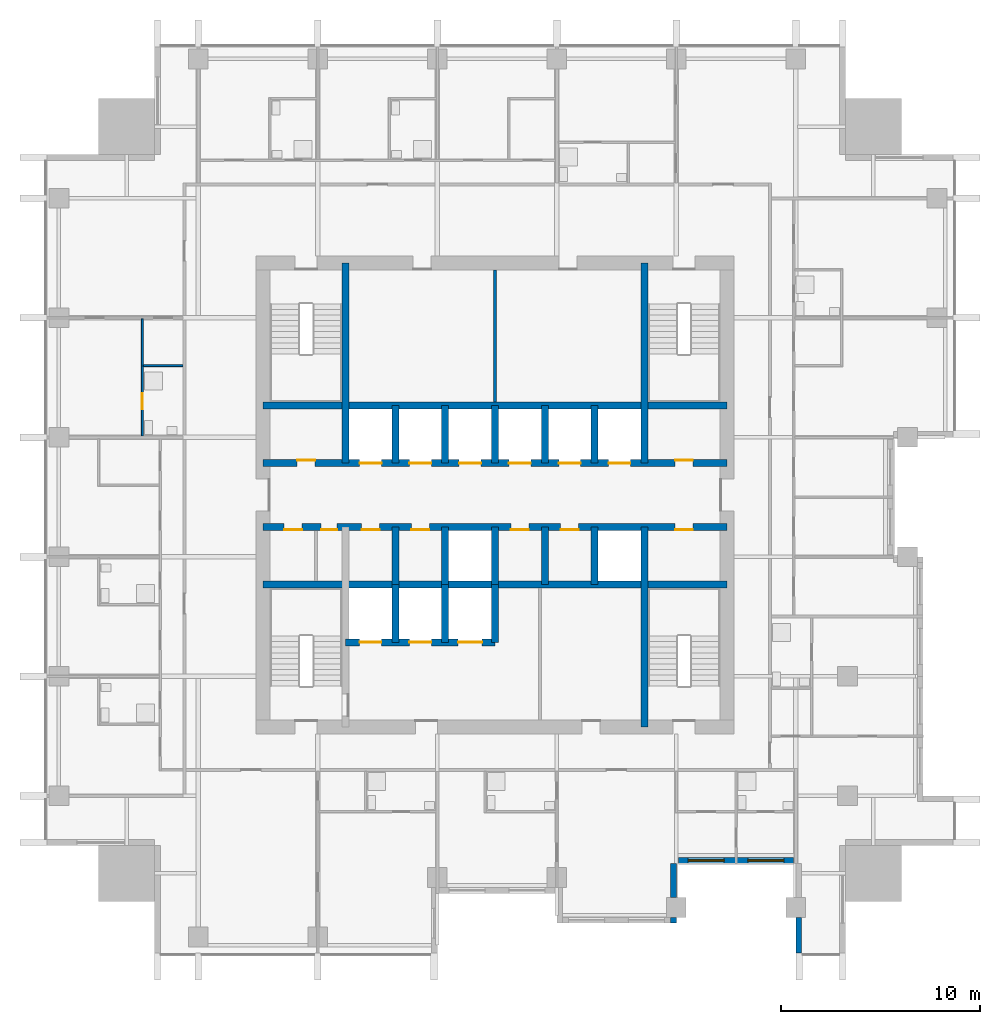
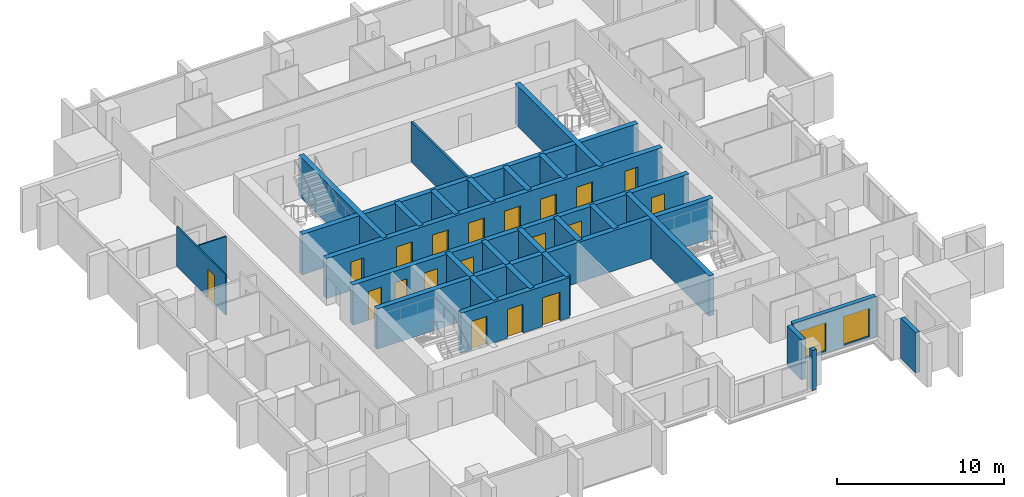
# One storey, part 5 of 10: 28 walls, 19 doors, 2 windows, 21 openings.
"""IFC4 building model written with IfcOpenShell, lengths in metres."""

import ifcopenshell
import ifcopenshell.guid

model = None  # the IFC model being written
_history = None  # IfcOwnerHistory: only IFC2X3 demands one
_inside = {}  # id of a spatial element -> (the spatial element, [elements in it])
_under = {}  # id of a project, library or spatial element -> (it, [spatial elements below it])
_declared = {}  # id of a project -> (the project, [libraries it declares])
_typed = {}  # id of a type object -> (the type object, [elements of that type])
_made_of = {}  # id of a material, layer set ... -> (it, [elements and type objects made of it])


def new_model(schema):
    """Start an empty IFC model of exactly this schema.

    Asked for "IFC4X3", IfcOpenShell would pick the latest addendum, in which some entities
    have other attributes; the version numbers below select the first issue.
    IFC2X3 requires an IfcOwnerHistory on every rooted entity: one is made here for all.
    """
    global model, _history
    if schema == "IFC4X3":
        model = ifcopenshell.file(schema_version=(4, 3, 0, 0))
    else:
        model = ifcopenshell.file(schema=schema)
    _inside.clear()
    _under.clear()
    _declared.clear()
    _typed.clear()
    _made_of.clear()
    _history = None
    if model.schema == "IFC2X3":
        org = make("IfcOrganization", Name="unknown")
        user = make(
            "IfcPersonAndOrganization",
            ThePerson=make("IfcPerson", FamilyName="unknown"),
            TheOrganization=org,
        )
        app = make(
            "IfcApplication",
            ApplicationDeveloper=org,
            Version="unknown",
            ApplicationFullName="unknown",
            ApplicationIdentifier="unknown",
        )
        _history = make(
            "IfcOwnerHistory",
            OwningUser=user,
            OwningApplication=app,
            ChangeAction="ADDED",
            CreationDate=0,
        )
    return model


def make(cls, **values):
    """One entity of the class cls with the attributes given. An attribute that is None is left unset."""
    return model.create_entity(
        cls, **{name: value for name, value in values.items() if value is not None}
    )


def rooted(cls, **values):
    """An entity with a GlobalId (a new one), such as an element, a storey or a relation."""
    return make(cls, GlobalId=ifcopenshell.guid.new(), OwnerHistory=_history, **values)


def si_unit(unit_type, name, prefix=None):
    """IfcSIUnit, for example si_unit("LENGTHUNIT", "METRE", prefix="MILLI")."""
    return make("IfcSIUnit", UnitType=unit_type, Prefix=prefix, Name=name)


def assignment(units):
    """IfcUnitAssignment: the units of a project."""
    return None if units is None else make("IfcUnitAssignment", Units=units)


def point(xyz):
    """IfcCartesianPoint."""
    return None if xyz is None else make("IfcCartesianPoint", Coordinates=xyz)


def direction(xyz):
    """IfcDirection."""
    return None if xyz is None else make("IfcDirection", DirectionRatios=xyz)


def frame(location, z_axis=None, x_axis=None):
    """IfcAxis2Placement3D, a coordinate frame: its origin and axes. An axis left out is left unset."""
    return make(
        "IfcAxis2Placement3D",
        Location=point(location),
        Axis=direction(z_axis),
        RefDirection=direction(x_axis),
    )


def frame_2d(location, x_axis=None):
    """IfcAxis2Placement2D, a coordinate frame in the plane: its origin and x axis."""
    return make(
        "IfcAxis2Placement2D", Location=point(location), RefDirection=direction(x_axis)
    )


def origin():
    """The frame at (0, 0, 0) with its axes left unset."""
    return frame((0.0, 0.0, 0.0))


def place(relative_to, where):
    """IfcLocalPlacement: puts the frame where relative to a parent placement (None: the world)."""
    return make(
        "IfcLocalPlacement", PlacementRelTo=relative_to, RelativePlacement=where
    )


def context(
    kind, dimensions, precision=None, world=None, true_north=None, identifier=None
):
    """IfcGeometricRepresentationContext, for example the 3D "Model" context."""
    return make(
        "IfcGeometricRepresentationContext",
        ContextIdentifier=identifier,
        ContextType=kind,
        CoordinateSpaceDimension=dimensions,
        Precision=precision,
        WorldCoordinateSystem=world,
        TrueNorth=true_north,
    )


def subcontext(parent, identifier, kind, view, scale=None):
    """IfcGeometricRepresentationSubContext, for example "Body" below "Model"."""
    return make(
        "IfcGeometricRepresentationSubContext",
        ContextIdentifier=identifier,
        ContextType=kind,
        ParentContext=parent,
        TargetScale=scale,
        TargetView=view,
    )


def project(units=None, contexts=None):
    """IfcProject with its units and contexts."""
    return rooted(
        "IfcProject",
        Name="project",
        RepresentationContexts=contexts,
        UnitsInContext=assignment(units),
    )


def spatial(cls, under=None, at=None, **own):
    """A site, building, storey or space (cls), placed at a placement, below another one or the project."""
    s = rooted(cls, ObjectPlacement=at, **own)
    if under is not None:
        _under.setdefault(under.id(), (under, []))[1].append(s)
    return s


def profile(cls, at=None, kind="AREA", **sizes):
    """A parametric profile (cls). Its sizes go by their IFC names, for example OverallWidth=200.0."""
    return make(cls, ProfileType=kind, Position=at, **sizes)


def rectangle(**sizes):
    """IfcRectangleProfileDef."""
    return profile("IfcRectangleProfileDef", **sizes)


def extrude(swept, where, along, depth):
    """IfcExtrudedAreaSolid: the profile swept, set in the frame where, extruded along a direction by depth."""
    return make(
        "IfcExtrudedAreaSolid",
        SweptArea=swept,
        Position=where,
        ExtrudedDirection=direction(along),
        Depth=depth,
    )


def shape(context_of_items, identifier, shape_type, items):
    """IfcShapeRepresentation: the items that make up one representation, for example the "Body"."""
    return make(
        "IfcShapeRepresentation",
        ContextOfItems=context_of_items,
        RepresentationIdentifier=identifier,
        RepresentationType=shape_type,
        Items=items,
    )


def material(Name=None, Category=None):
    """IfcMaterial."""
    return make("IfcMaterial", Name=Name, Category=Category)


def layer(
    of_material, thickness, ventilated=None, Name=None, Category=None, Priority=None
):
    """IfcMaterialLayer: one layer of a wall or slab, of a material (None: an air gap)."""
    return make(
        "IfcMaterialLayer",
        Material=of_material,
        LayerThickness=thickness,
        IsVentilated=ventilated,
        Name=Name,
        Category=Category,
        Priority=Priority,
    )


def layer_set(layers, Name=None):
    """IfcMaterialLayerSet."""
    return make("IfcMaterialLayerSet", MaterialLayers=layers, LayerSetName=Name)


def made_of(thing, what):
    """Note that an element or type object is made of a material, layer set ...; save() writes the relation."""
    if what is not None:
        _made_of.setdefault(what.id(), (what, []))[1].append(thing)
    return thing


def type_object(cls, material=None, **own):
    """A type object (cls), such as IfcWallType, which elements share."""
    return made_of(rooted(cls, **own), material)


def element(
    cls,
    number,
    at=None,
    inside=None,
    cuts=None,
    type_object=None,
    material=None,
    context=None,
    identifier="Body",
    shape_type=None,
    held_by="IfcProductDefinitionShape",
    body=None,
    shapes=None,
    **own,
):
    """One element of the class cls, such as IfcWall. Its Tag is "e" and its number.

    at: its placement. inside: the storey or other place that contains it. cuts: it is an
    opening in that element (IfcRelVoidsElement). A single representation is given by context,
    identifier, shape_type and body (its items); several are given by shapes. held_by: the class
    of the entity that holds the representations. save() writes the other relations.
    """
    e = rooted(cls, Tag="e%d" % number, ObjectPlacement=at, **own)
    if body is not None:
        shapes = [shape(context, identifier, shape_type, body)]
    if shapes is not None:
        e.Representation = make(held_by, Representations=shapes)
    if inside is not None:
        _inside.setdefault(inside.id(), (inside, []))[1].append(e)
    if cuts is not None:
        rooted(
            "IfcRelVoidsElement", RelatingBuildingElement=cuts, RelatedOpeningElement=e
        )
    if type_object is not None:
        _typed.setdefault(type_object.id(), (type_object, []))[1].append(e)
    return made_of(e, material)


def fill(opening, filler):
    """IfcRelFillsElement: the door or window that sits in an opening."""
    return rooted(
        "IfcRelFillsElement",
        RelatingOpeningElement=opening,
        RelatedBuildingElement=filler,
    )


def aggregate(whole, parts):
    """IfcRelAggregates: a whole, such as a stair, and the parts it consists of."""
    return rooted("IfcRelAggregates", RelatingObject=whole, RelatedObjects=parts)


def save(model, path):
    """Write the relations noted so far, then the file.

    IfcRelAggregates (storeys below a building ...), IfcRelContainedInSpatialStructure (elements
    in a storey), IfcRelDefinesByType, IfcRelAssociatesMaterial and IfcRelDeclares: one each for
    every whole, place, type object, material and project.
    """
    for whole, parts in _under.values():
        aggregate(whole, parts)
    for where, things in _inside.values():
        rooted(
            "IfcRelContainedInSpatialStructure",
            RelatedElements=things,
            RelatingStructure=where,
        )
    for kind, things in _typed.values():
        rooted("IfcRelDefinesByType", RelatedObjects=things, RelatingType=kind)
    for what, things in _made_of.values():
        rooted("IfcRelAssociatesMaterial", RelatedObjects=things, RelatingMaterial=what)
    for by, libraries in _declared.values():
        rooted("IfcRelDeclares", RelatingContext=by, RelatedDefinitions=libraries)
    model.write(path)


model = new_model("IFC4")

# Units and contexts
model_context = context("Model", 3, precision=1e-05, world=origin(), true_north=direction((0.0, 1.0)))
body_context = subcontext(model_context, "Body", "Model", "MODEL_VIEW")
ifc_project = project(units=[si_unit("LENGTHUNIT", "METRE"), si_unit("AREAUNIT", "SQUARE_METRE"), si_unit("VOLUMEUNIT", "CUBIC_METRE"), si_unit("PLANEANGLEUNIT", "RADIAN"), si_unit("MASSUNIT", "GRAM", prefix="KILO")], contexts=[model_context])

# Site, building, storey
site_placement = place(None, origin())
site = spatial("IfcSite", under=ifc_project, at=site_placement, CompositionType="ELEMENT")
building_placement = place(site_placement, origin())
building = spatial("IfcBuilding", under=site, at=building_placement, Name="Amberfall Residences", CompositionType="ELEMENT")
storey_placement = place(building_placement, frame((0.0, 0.0, 174.699951171875)))
storey = spatial("IfcBuildingStorey", under=building, at=storey_placement, Name="L47", CompositionType="ELEMENT", Elevation=174.699951171875)

# Walls
ifc_material_1 = material(Name="Pale stone cladding on insulated backing", Category="masonry")
ifc_layer_1 = layer(ifc_material_1, 0.300048828125)
ifc_layer_set_1 = layer_set([ifc_layer_1], Name="Bronze clad wall 300")
wall_type_1 = type_object("IfcWallType", Name="Bronze clad wall 300", PredefinedType="SOLIDWALL", material=ifc_layer_set_1)
wall_1_placement = place(storey_placement, frame((83.449951171875, 24.0, 0.0), z_axis=(0.0, 0.0, 1.0), x_axis=(0.0, 1.0, 0.0)))
element("IfcWall", 1, at=wall_1_placement, inside=storey, type_object=wall_type_1, Name="External wall L47 S", PredefinedType="SOLIDWALL", context=body_context, shape_type="SweptSolid", body=[
    extrude(rectangle(XDim=0.300048828125, YDim=0.300048828125, at=frame_2d((0.14990234375, 0.0))), origin(), (0.0, 0.0, 1.0), 2.949951171875),
])
wall_2_placement = place(storey_placement, frame((83.449951171875, 25.300048828125, 0.0), z_axis=(0.0, 0.0, 1.0), x_axis=(0.0, 1.0, 0.0)))
element("IfcWall", 2, at=wall_2_placement, inside=storey, type_object=wall_type_1, Name="External wall L47 S", PredefinedType="SOLIDWALL", context=body_context, shape_type="SweptSolid", body=[
    extrude(rectangle(XDim=1.699951171875, YDim=0.300048828125, at=frame_2d((0.85009765625, 0.0))), origin(), (0.0, 0.0, 1.0), 2.949951171875),
])
wall_3_placement = place(storey_placement, frame((89.75, 24.300048828125, 0.0), z_axis=(0.0, 0.0, 1.0), x_axis=(0.0, -1.0, 0.0)))
element("IfcWall", 3, at=wall_3_placement, inside=storey, type_object=wall_type_1, Name="External wall L47 S", PredefinedType="SOLIDWALL", context=body_context, shape_type="SweptSolid", body=[
    extrude(rectangle(XDim=1.800048828125, YDim=0.300048828125, at=frame_2d((0.89990234375, 0.0))), origin(), (0.0, 0.0, 1.0), 2.949951171875),
])

# Wall, openings, windows
wall_4_placement = place(storey_placement, frame((83.719970703125, 27.14990234375, 0.0), z_axis=(0.0, 0.0, 1.0), x_axis=(1.0, 0.0, 0.0)))
wall_4 = element("IfcWall", 4, at=wall_4_placement, inside=storey, type_object=wall_type_1, Name="Stone wall L47 S", PredefinedType="SOLIDWALL", context=body_context, shape_type="SweptSolid", body=[
    extrude(rectangle(XDim=5.760009765625, YDim=0.300048828125, at=frame_2d((2.8798828125, 0.0))), origin(), (0.0, 0.0, 1.0), 2.949951171875),
])
opening_1_placement = place(wall_4_placement, frame((0.47998046875, 0.0, 0.14990234375)))
opening_1 = element("IfcOpeningElement", 5, at=opening_1_placement, cuts=wall_4, Name="Opening WN6", PredefinedType="OPENING", context=body_context, shape_type="SweptSolid", body=[
    extrude(rectangle(XDim=1.800048828125, YDim=2.10009765625, at=frame_2d((0.89990234375, 1.050048828125))), frame((0.0, 0.159912109375, 0.0), z_axis=(0.0, -1.0, 0.0), x_axis=(1.0, 0.0, 0.0)), (0.0, 0.0, 1.0), 0.320068359375),
])
opening_2_placement = place(wall_4_placement, frame((3.47998046875, 0.0, 0.14990234375)))
opening_2 = element("IfcOpeningElement", 6, at=opening_2_placement, cuts=wall_4, Name="Opening WN6", PredefinedType="OPENING", context=body_context, shape_type="SweptSolid", body=[
    extrude(rectangle(XDim=1.800048828125, YDim=2.10009765625, at=frame_2d((0.89990234375, 1.050048828125))), frame((0.0, 0.159912109375, 0.0), z_axis=(0.0, -1.0, 0.0), x_axis=(1.0, 0.0, 0.0)), (0.0, 0.0, 1.0), 0.320068359375),
])
ifc_material_2 = material(Name="Bronze aluminium framed glazing", Category="aluminium")
window_type = type_object("IfcWindowType", Name="Glazed opening 1800 x 2100 bronze", PartitioningType="DOUBLE_PANEL_VERTICAL", PredefinedType="WINDOW", material=ifc_material_2)
window_1_placement = place(opening_1_placement, origin())
window_1 = element("IfcWindow", 7, at=window_1_placement, inside=storey, type_object=window_type, Name="Window L47 S", OverallHeight=2.10009765625, OverallWidth=1.800048828125, PartitioningType="DOUBLE_PANEL_VERTICAL", PredefinedType="WINDOW", context=body_context, shape_type="SweptSolid", body=[
    extrude(rectangle(XDim=1.800048828125, YDim=2.10009765625, at=frame_2d((0.89990234375, 1.050048828125))), frame((0.0, 0.030029296875, 0.0), z_axis=(0.0, -1.0, 0.0), x_axis=(1.0, 0.0, 0.0)), (0.0, 0.0, 1.0), 0.06005859375),
])
fill(opening_1, window_1)
window_2_placement = place(opening_2_placement, origin())
window_2 = element("IfcWindow", 8, at=window_2_placement, inside=storey, type_object=window_type, Name="Window L47 S", OverallHeight=2.10009765625, OverallWidth=1.800048828125, PartitioningType="DOUBLE_PANEL_VERTICAL", PredefinedType="WINDOW", context=body_context, shape_type="SweptSolid", body=[
    extrude(rectangle(XDim=1.800048828125, YDim=2.10009765625, at=frame_2d((0.89990234375, 1.050048828125))), frame((0.0, 0.030029296875, 0.0), z_axis=(0.0, -1.0, 0.0), x_axis=(1.0, 0.0, 0.0)), (0.0, 0.0, 1.0), 0.06005859375),
])
fill(opening_2, window_2)

# Wall
ifc_material_3 = material(Name="Concrete C60", Category="concrete")
ifc_layer_2 = layer(ifc_material_3, 0.35009765625)
ifc_layer_set_2 = layer_set([ifc_layer_2], Name="Core wall 350 C60")
wall_type_2 = type_object("IfcWallType", Name="Core wall 350 C60", PredefinedType="SHEAR", material=ifc_layer_set_2)
wall_5_placement = place(storey_placement, frame((62.85009765625, 41.0, 0.0), z_axis=(0.0, 0.0, 1.0), x_axis=(1.0, 0.0, 0.0)))
element("IfcWall", 9, at=wall_5_placement, inside=storey, type_object=wall_type_2, Name="Core wall RW6 L47 H75", PredefinedType="SHEAR", context=body_context, shape_type="SweptSolid", body=[
    extrude(rectangle(XDim=23.2998046875, YDim=0.35009765625, at=frame_2d((11.64990234375, 0.0))), origin(), (0.0, 0.0, 1.0), 2.949951171875),
])

# Wall, openings, doors
wall_6_placement = place(storey_placement, frame((62.85009765625, 43.89990234375, 0.0), z_axis=(0.0, 0.0, 1.0), x_axis=(1.0, 0.0, 0.0)))
wall_6 = element("IfcWall", 10, at=wall_6_placement, inside=storey, type_object=wall_type_2, Name="Core wall RW6 L47 H104", PredefinedType="SHEAR", context=body_context, shape_type="SweptSolid", body=[
    extrude(rectangle(XDim=23.2998046875, YDim=0.35009765625, at=frame_2d((11.64990234375, 0.0))), origin(), (0.0, 0.0, 1.0), 2.949951171875),
])
opening_3_placement = place(wall_6_placement, frame((1.06005859375, 0.0, 0.0)))
opening_3 = element("IfcOpeningElement", 11, at=opening_3_placement, cuts=wall_6, Name="Opening RD1", PredefinedType="OPENING", context=body_context, shape_type="SweptSolid", body=[
    extrude(rectangle(XDim=0.89990234375, YDim=2.10009765625, at=frame_2d((0.449951171875, 1.050048828125))), frame((0.0, 0.18505859375, 0.0), z_axis=(0.0, -1.0, 0.0), x_axis=(1.0, 0.0, 0.0)), (0.0, 0.0, 1.0), 0.3701171875),
])
opening_4_placement = place(wall_6_placement, frame((2.922607421875, 0.0, 0.0)))
opening_4 = element("IfcOpeningElement", 12, at=opening_4_placement, cuts=wall_6, Name="Opening RD2", PredefinedType="OPENING", context=body_context, shape_type="SweptSolid", body=[
    extrude(rectangle(XDim=0.800048828125, YDim=2.10009765625, at=frame_2d((0.39990234375, 1.050048828125))), frame((0.0, 0.18505859375, 0.0), z_axis=(0.0, -1.0, 0.0), x_axis=(1.0, 0.0, 0.0)), (0.0, 0.0, 1.0), 0.3701171875),
])
opening_5_placement = place(wall_6_placement, frame((20.6875, 0.0, 0.0)))
opening_5 = element("IfcOpeningElement", 13, at=opening_5_placement, cuts=wall_6, Name="Opening RD1", PredefinedType="OPENING", context=body_context, shape_type="SweptSolid", body=[
    extrude(rectangle(XDim=0.89990234375, YDim=2.10009765625, at=frame_2d((0.449951171875, 1.050048828125))), frame((0.0, 0.18505859375, 0.0), z_axis=(0.0, -1.0, 0.0), x_axis=(1.0, 0.0, 0.0)), (0.0, 0.0, 1.0), 0.3701171875),
])
opening_6_placement = place(wall_6_placement, frame((4.949951171875, 0.0, 0.0)))
opening_6 = element("IfcOpeningElement", 14, at=opening_6_placement, cuts=wall_6, Name="Opening RD1", PredefinedType="OPENING", context=body_context, shape_type="SweptSolid", body=[
    extrude(rectangle(XDim=0.89990234375, YDim=2.10009765625, at=frame_2d((0.449951171875, 1.050048828125))), frame((0.0, 0.18505859375, 0.0), z_axis=(0.0, -1.0, 0.0), x_axis=(1.0, 0.0, 0.0)), (0.0, 0.0, 1.0), 0.3701171875),
])
opening_7_placement = place(wall_6_placement, frame((7.449951171875, 0.0, 0.0)))
opening_7 = element("IfcOpeningElement", 15, at=opening_7_placement, cuts=wall_6, Name="Opening RD1", PredefinedType="OPENING", context=body_context, shape_type="SweptSolid", body=[
    extrude(rectangle(XDim=0.89990234375, YDim=2.10009765625, at=frame_2d((0.449951171875, 1.050048828125))), frame((0.0, 0.18505859375, 0.0), z_axis=(0.0, -1.0, 0.0), x_axis=(1.0, 0.0, 0.0)), (0.0, 0.0, 1.0), 0.3701171875),
])
opening_8_placement = place(wall_6_placement, frame((12.449951171875, 0.0, 0.0)))
opening_8 = element("IfcOpeningElement", 16, at=opening_8_placement, cuts=wall_6, Name="Opening RD1", PredefinedType="OPENING", context=body_context, shape_type="SweptSolid", body=[
    extrude(rectangle(XDim=0.89990234375, YDim=2.10009765625, at=frame_2d((0.449951171875, 1.050048828125))), frame((0.0, 0.18505859375, 0.0), z_axis=(0.0, -1.0, 0.0), x_axis=(1.0, 0.0, 0.0)), (0.0, 0.0, 1.0), 0.3701171875),
])
opening_9_placement = place(wall_6_placement, frame((14.949951171875, 0.0, 0.0)))
opening_9 = element("IfcOpeningElement", 17, at=opening_9_placement, cuts=wall_6, Name="Opening RD1", PredefinedType="OPENING", context=body_context, shape_type="SweptSolid", body=[
    extrude(rectangle(XDim=0.89990234375, YDim=2.10009765625, at=frame_2d((0.449951171875, 1.050048828125))), frame((0.0, 0.18505859375, 0.0), z_axis=(0.0, -1.0, 0.0), x_axis=(1.0, 0.0, 0.0)), (0.0, 0.0, 1.0), 0.3701171875),
])
ifc_material_4 = material(Name="Steel fire door set", Category="steel")
door_type_1 = type_object("IfcDoorType", Name="Service room door 800 x 2100", OperationType="SINGLE_SWING_LEFT", PredefinedType="DOOR", material=ifc_material_4)
door_1_placement = place(opening_4_placement, origin())
door_1 = element("IfcDoor", 18, at=door_1_placement, inside=storey, type_object=door_type_1, Name="RD2 L47", OperationType="SINGLE_SWING_RIGHT", OverallHeight=2.10009765625, OverallWidth=0.800048828125, PredefinedType="DOOR", context=body_context, shape_type="SweptSolid", body=[
    extrude(rectangle(XDim=0.800048828125, YDim=2.10009765625, at=frame_2d((0.39990234375, 1.050048828125))), frame((0.0, -0.1123046875, 0.0), z_axis=(0.0, -1.0, 0.0), x_axis=(1.0, 0.0, 0.0)), (0.0, 0.0, 1.0), 0.050048828125),
])
fill(opening_4, door_1)
door_type_2 = type_object("IfcDoorType", Name="Service room door 900 x 2100", OperationType="SINGLE_SWING_LEFT", PredefinedType="DOOR", material=ifc_material_4)
door_2_placement = place(opening_3_placement, origin())
door_2 = element("IfcDoor", 19, at=door_2_placement, inside=storey, type_object=door_type_2, Name="RD1 L47", OperationType="SINGLE_SWING_LEFT", OverallHeight=2.10009765625, OverallWidth=0.89990234375, PredefinedType="DOOR", context=body_context, shape_type="SweptSolid", body=[
    extrude(rectangle(XDim=0.89990234375, YDim=2.10009765625, at=frame_2d((0.449951171875, 1.050048828125))), frame((0.0, -0.1123046875, 0.0), z_axis=(0.0, -1.0, 0.0), x_axis=(1.0, 0.0, 0.0)), (0.0, 0.0, 1.0), 0.050048828125),
])
fill(opening_3, door_2)
door_3_placement = place(opening_5_placement, origin())
door_3 = element("IfcDoor", 20, at=door_3_placement, inside=storey, type_object=door_type_2, Name="RD1 L47", OperationType="SINGLE_SWING_LEFT", OverallHeight=2.10009765625, OverallWidth=0.89990234375, PredefinedType="DOOR", context=body_context, shape_type="SweptSolid", body=[
    extrude(rectangle(XDim=0.89990234375, YDim=2.10009765625, at=frame_2d((0.449951171875, 1.050048828125))), frame((0.0, -0.1123046875, 0.0), z_axis=(0.0, -1.0, 0.0), x_axis=(1.0, 0.0, 0.0)), (0.0, 0.0, 1.0), 0.050048828125),
])
fill(opening_5, door_3)
door_4_placement = place(opening_6_placement, origin())
door_4 = element("IfcDoor", 21, at=door_4_placement, inside=storey, type_object=door_type_2, Name="RD1 L47", OperationType="SINGLE_SWING_RIGHT", OverallHeight=2.10009765625, OverallWidth=0.89990234375, PredefinedType="DOOR", context=body_context, shape_type="SweptSolid", body=[
    extrude(rectangle(XDim=0.89990234375, YDim=2.10009765625, at=frame_2d((0.449951171875, 1.050048828125))), frame((0.0, -0.1123046875, 0.0), z_axis=(0.0, -1.0, 0.0), x_axis=(1.0, 0.0, 0.0)), (0.0, 0.0, 1.0), 0.050048828125),
])
fill(opening_6, door_4)
door_5_placement = place(opening_7_placement, origin())
door_5 = element("IfcDoor", 22, at=door_5_placement, inside=storey, type_object=door_type_2, Name="RD1 L47", OperationType="SINGLE_SWING_LEFT", OverallHeight=2.10009765625, OverallWidth=0.89990234375, PredefinedType="DOOR", context=body_context, shape_type="SweptSolid", body=[
    extrude(rectangle(XDim=0.89990234375, YDim=2.10009765625, at=frame_2d((0.449951171875, 1.050048828125))), frame((0.0, -0.1123046875, 0.0), z_axis=(0.0, -1.0, 0.0), x_axis=(1.0, 0.0, 0.0)), (0.0, 0.0, 1.0), 0.050048828125),
])
fill(opening_7, door_5)
door_6_placement = place(opening_8_placement, origin())
door_6 = element("IfcDoor", 23, at=door_6_placement, inside=storey, type_object=door_type_2, Name="RD1 L47", OperationType="SINGLE_SWING_LEFT", OverallHeight=2.10009765625, OverallWidth=0.89990234375, PredefinedType="DOOR", context=body_context, shape_type="SweptSolid", body=[
    extrude(rectangle(XDim=0.89990234375, YDim=2.10009765625, at=frame_2d((0.449951171875, 1.050048828125))), frame((0.0, -0.1123046875, 0.0), z_axis=(0.0, -1.0, 0.0), x_axis=(1.0, 0.0, 0.0)), (0.0, 0.0, 1.0), 0.050048828125),
])
fill(opening_8, door_6)
door_7_placement = place(opening_9_placement, origin())
door_7 = element("IfcDoor", 24, at=door_7_placement, inside=storey, type_object=door_type_2, Name="RD1 L47", OperationType="SINGLE_SWING_RIGHT", OverallHeight=2.10009765625, OverallWidth=0.89990234375, PredefinedType="DOOR", context=body_context, shape_type="SweptSolid", body=[
    extrude(rectangle(XDim=0.89990234375, YDim=2.10009765625, at=frame_2d((0.449951171875, 1.050048828125))), frame((0.0, -0.1123046875, 0.0), z_axis=(0.0, -1.0, 0.0), x_axis=(1.0, 0.0, 0.0)), (0.0, 0.0, 1.0), 0.050048828125),
])
fill(opening_9, door_7)

wall_7_placement = place(storey_placement, frame((62.85009765625, 47.10009765625, 0.0), z_axis=(0.0, 0.0, 1.0), x_axis=(1.0, 0.0, 0.0)))
wall_7 = element("IfcWall", 25, at=wall_7_placement, inside=storey, type_object=wall_type_2, Name="Core wall RW6 L47 H136", PredefinedType="SHEAR", context=body_context, shape_type="SweptSolid", body=[
    extrude(rectangle(XDim=23.2998046875, YDim=0.35009765625, at=frame_2d((11.64990234375, 0.0))), origin(), (0.0, 0.0, 1.0), 2.949951171875),
])
opening_10_placement = place(wall_7_placement, frame((1.71240234375, 0.0, 0.0)))
opening_10 = element("IfcOpeningElement", 26, at=opening_10_placement, cuts=wall_7, Name="Opening RD1", PredefinedType="OPENING", context=body_context, shape_type="SweptSolid", body=[
    extrude(rectangle(XDim=0.89990234375, YDim=2.10009765625, at=frame_2d((0.449951171875, 1.050048828125))), frame((0.0, 0.18505859375, 0.0), z_axis=(0.0, -1.0, 0.0), x_axis=(1.0, 0.0, 0.0)), (0.0, 0.0, 1.0), 0.3701171875),
])
opening_11_placement = place(wall_7_placement, frame((20.6875, 0.0, 0.0)))
opening_11 = element("IfcOpeningElement", 27, at=opening_11_placement, cuts=wall_7, Name="Opening RD1", PredefinedType="OPENING", context=body_context, shape_type="SweptSolid", body=[
    extrude(rectangle(XDim=0.89990234375, YDim=2.10009765625, at=frame_2d((0.449951171875, 1.050048828125))), frame((0.0, 0.18505859375, 0.0), z_axis=(0.0, -1.0, 0.0), x_axis=(1.0, 0.0, 0.0)), (0.0, 0.0, 1.0), 0.3701171875),
])
opening_12_placement = place(wall_7_placement, frame((4.85009765625, 0.0, 0.0)))
opening_12 = element("IfcOpeningElement", 28, at=opening_12_placement, cuts=wall_7, Name="Opening LD1", PredefinedType="OPENING", context=body_context, shape_type="SweptSolid", body=[
    extrude(rectangle(XDim=1.10009765625, YDim=2.10009765625, at=frame_2d((0.550048828125, 1.050048828125))), frame((0.0, 0.18505859375, 0.0), z_axis=(0.0, -1.0, 0.0), x_axis=(1.0, 0.0, 0.0)), (0.0, 0.0, 1.0), 0.3701171875),
])
opening_13_placement = place(wall_7_placement, frame((7.35009765625, 0.0, 0.0)))
opening_13 = element("IfcOpeningElement", 29, at=opening_13_placement, cuts=wall_7, Name="Opening LD1", PredefinedType="OPENING", context=body_context, shape_type="SweptSolid", body=[
    extrude(rectangle(XDim=1.10009765625, YDim=2.10009765625, at=frame_2d((0.550048828125, 1.050048828125))), frame((0.0, 0.18505859375, 0.0), z_axis=(0.0, -1.0, 0.0), x_axis=(1.0, 0.0, 0.0)), (0.0, 0.0, 1.0), 0.3701171875),
])
opening_14_placement = place(wall_7_placement, frame((9.85009765625, 0.0, 0.0)))
opening_14 = element("IfcOpeningElement", 30, at=opening_14_placement, cuts=wall_7, Name="Opening LD1", PredefinedType="OPENING", context=body_context, shape_type="SweptSolid", body=[
    extrude(rectangle(XDim=1.10009765625, YDim=2.10009765625, at=frame_2d((0.550048828125, 1.050048828125))), frame((0.0, 0.18505859375, 0.0), z_axis=(0.0, -1.0, 0.0), x_axis=(1.0, 0.0, 0.0)), (0.0, 0.0, 1.0), 0.3701171875),
])
opening_15_placement = place(wall_7_placement, frame((12.35009765625, 0.0, 0.0)))
opening_15 = element("IfcOpeningElement", 31, at=opening_15_placement, cuts=wall_7, Name="Opening LD1", PredefinedType="OPENING", context=body_context, shape_type="SweptSolid", body=[
    extrude(rectangle(XDim=1.10009765625, YDim=2.10009765625, at=frame_2d((0.550048828125, 1.050048828125))), frame((0.0, 0.18505859375, 0.0), z_axis=(0.0, -1.0, 0.0), x_axis=(1.0, 0.0, 0.0)), (0.0, 0.0, 1.0), 0.3701171875),
])
opening_16_placement = place(wall_7_placement, frame((14.85009765625, 0.0, 0.0)))
opening_16 = element("IfcOpeningElement", 32, at=opening_16_placement, cuts=wall_7, Name="Opening LD1", PredefinedType="OPENING", context=body_context, shape_type="SweptSolid", body=[
    extrude(rectangle(XDim=1.10009765625, YDim=2.10009765625, at=frame_2d((0.550048828125, 1.050048828125))), frame((0.0, 0.18505859375, 0.0), z_axis=(0.0, -1.0, 0.0), x_axis=(1.0, 0.0, 0.0)), (0.0, 0.0, 1.0), 0.3701171875),
])
opening_17_placement = place(wall_7_placement, frame((17.35009765625, 0.0, 0.0)))
opening_17 = element("IfcOpeningElement", 33, at=opening_17_placement, cuts=wall_7, Name="Opening LD1", PredefinedType="OPENING", context=body_context, shape_type="SweptSolid", body=[
    extrude(rectangle(XDim=1.10009765625, YDim=2.10009765625, at=frame_2d((0.550048828125, 1.050048828125))), frame((0.0, 0.18505859375, 0.0), z_axis=(0.0, -1.0, 0.0), x_axis=(1.0, 0.0, 0.0)), (0.0, 0.0, 1.0), 0.3701171875),
])
door_type_3 = type_object("IfcDoorType", Name="Lift landing door 1100 x 2100", OperationType="DOUBLE_DOOR_SLIDING", PredefinedType="DOOR", material=ifc_material_4)
door_8_placement = place(opening_12_placement, origin())
door_8 = element("IfcDoor", 34, at=door_8_placement, inside=storey, type_object=door_type_3, Name="Landing door HP1 L47", OperationType="DOUBLE_DOOR_SLIDING", OverallHeight=2.10009765625, OverallWidth=1.10009765625, PredefinedType="DOOR", context=body_context, shape_type="SweptSolid", body=[
    extrude(rectangle(XDim=1.10009765625, YDim=2.10009765625, at=frame_2d((0.550048828125, 1.050048828125))), frame((0.0, 0.02490234375, 0.0), z_axis=(0.0, -1.0, 0.0), x_axis=(1.0, 0.0, 0.0)), (0.0, 0.0, 1.0), 0.050048828125),
])
fill(opening_12, door_8)
door_9_placement = place(opening_13_placement, origin())
door_9 = element("IfcDoor", 35, at=door_9_placement, inside=storey, type_object=door_type_3, Name="Landing door HP2 L47", OperationType="DOUBLE_DOOR_SLIDING", OverallHeight=2.10009765625, OverallWidth=1.10009765625, PredefinedType="DOOR", context=body_context, shape_type="SweptSolid", body=[
    extrude(rectangle(XDim=1.10009765625, YDim=2.10009765625, at=frame_2d((0.550048828125, 1.050048828125))), frame((0.0, 0.02490234375, 0.0), z_axis=(0.0, -1.0, 0.0), x_axis=(1.0, 0.0, 0.0)), (0.0, 0.0, 1.0), 0.050048828125),
])
fill(opening_13, door_9)
door_10_placement = place(opening_14_placement, origin())
door_10 = element("IfcDoor", 36, at=door_10_placement, inside=storey, type_object=door_type_3, Name="Landing door HP3 L47", OperationType="DOUBLE_DOOR_SLIDING", OverallHeight=2.10009765625, OverallWidth=1.10009765625, PredefinedType="DOOR", context=body_context, shape_type="SweptSolid", body=[
    extrude(rectangle(XDim=1.10009765625, YDim=2.10009765625, at=frame_2d((0.550048828125, 1.050048828125))), frame((0.0, 0.02490234375, 0.0), z_axis=(0.0, -1.0, 0.0), x_axis=(1.0, 0.0, 0.0)), (0.0, 0.0, 1.0), 0.050048828125),
])
fill(opening_14, door_10)
door_11_placement = place(opening_15_placement, origin())
door_11 = element("IfcDoor", 37, at=door_11_placement, inside=storey, type_object=door_type_3, Name="Landing door HP4 L47", OperationType="DOUBLE_DOOR_SLIDING", OverallHeight=2.10009765625, OverallWidth=1.10009765625, PredefinedType="DOOR", context=body_context, shape_type="SweptSolid", body=[
    extrude(rectangle(XDim=1.10009765625, YDim=2.10009765625, at=frame_2d((0.550048828125, 1.050048828125))), frame((0.0, 0.02490234375, 0.0), z_axis=(0.0, -1.0, 0.0), x_axis=(1.0, 0.0, 0.0)), (0.0, 0.0, 1.0), 0.050048828125),
])
fill(opening_15, door_11)
door_12_placement = place(opening_16_placement, origin())
door_12 = element("IfcDoor", 38, at=door_12_placement, inside=storey, type_object=door_type_3, Name="Landing door HP5 L47", OperationType="DOUBLE_DOOR_SLIDING", OverallHeight=2.10009765625, OverallWidth=1.10009765625, PredefinedType="DOOR", context=body_context, shape_type="SweptSolid", body=[
    extrude(rectangle(XDim=1.10009765625, YDim=2.10009765625, at=frame_2d((0.550048828125, 1.050048828125))), frame((0.0, 0.02490234375, 0.0), z_axis=(0.0, -1.0, 0.0), x_axis=(1.0, 0.0, 0.0)), (0.0, 0.0, 1.0), 0.050048828125),
])
fill(opening_16, door_12)
door_13_placement = place(opening_17_placement, origin())
door_13 = element("IfcDoor", 39, at=door_13_placement, inside=storey, type_object=door_type_3, Name="Landing door HP6 L47", OperationType="DOUBLE_DOOR_SLIDING", OverallHeight=2.10009765625, OverallWidth=1.10009765625, PredefinedType="DOOR", context=body_context, shape_type="SweptSolid", body=[
    extrude(rectangle(XDim=1.10009765625, YDim=2.10009765625, at=frame_2d((0.550048828125, 1.050048828125))), frame((0.0, 0.02490234375, 0.0), z_axis=(0.0, -1.0, 0.0), x_axis=(1.0, 0.0, 0.0)), (0.0, 0.0, 1.0), 0.050048828125),
])
fill(opening_17, door_13)
door_14_placement = place(opening_10_placement, origin())
door_14 = element("IfcDoor", 40, at=door_14_placement, inside=storey, type_object=door_type_2, Name="RD1 L47", OperationType="SINGLE_SWING_LEFT", OverallHeight=2.10009765625, OverallWidth=0.89990234375, PredefinedType="DOOR", context=body_context, shape_type="SweptSolid", body=[
    extrude(rectangle(XDim=0.89990234375, YDim=2.10009765625, at=frame_2d((0.449951171875, 1.050048828125))), frame((0.0, 0.16259765625, 0.0), z_axis=(0.0, -1.0, 0.0), x_axis=(1.0, 0.0, 0.0)), (0.0, 0.0, 1.0), 0.050048828125),
])
fill(opening_10, door_14)
door_15_placement = place(opening_11_placement, origin())
door_15 = element("IfcDoor", 41, at=door_15_placement, inside=storey, type_object=door_type_2, Name="RD1 L47", OperationType="SINGLE_SWING_LEFT", OverallHeight=2.10009765625, OverallWidth=0.89990234375, PredefinedType="DOOR", context=body_context, shape_type="SweptSolid", body=[
    extrude(rectangle(XDim=0.89990234375, YDim=2.10009765625, at=frame_2d((0.449951171875, 1.050048828125))), frame((0.0, 0.16259765625, 0.0), z_axis=(0.0, -1.0, 0.0), x_axis=(1.0, 0.0, 0.0)), (0.0, 0.0, 1.0), 0.050048828125),
])
fill(opening_11, door_15)

# Walls
wall_8_placement = place(storey_placement, frame((62.85009765625, 50.0, 0.0), z_axis=(0.0, 0.0, 1.0), x_axis=(1.0, 0.0, 0.0)))
element("IfcWall", 42, at=wall_8_placement, inside=storey, type_object=wall_type_2, Name="Core wall RW6 L47 H165", PredefinedType="SHEAR", context=body_context, shape_type="SweptSolid", body=[
    extrude(rectangle(XDim=23.2998046875, YDim=0.35009765625, at=frame_2d((11.64990234375, 0.0))), origin(), (0.0, 0.0, 1.0), 2.949951171875),
])
for number, where, z_axis, x_axis, name in (
    (43, (67.0, 47.10009765625, 0.0), (0.0, 0.0, 1.0), (0.0, 1.0, 0.0), "Core wall RW6 L47 V45N"),
    (44, (82.0, 33.85009765625, 0.0), (0.0, 0.0, 1.0), (0.0, 1.0, 0.0), "Core wall RW6 L47 V195S"),
    (45, (82.0, 47.10009765625, 0.0), (0.0, 0.0, 1.0), (0.0, 1.0, 0.0), "Core wall RW6 L47 V195N"),
):
    element("IfcWall", number, at=place(storey_placement, frame(where, z_axis=z_axis, x_axis=x_axis)), inside=storey, type_object=wall_type_2, Name=name, PredefinedType="SHEAR", context=body_context, shape_type="SweptSolid", body=[
        extrude(rectangle(XDim=10.0498046875, YDim=0.35009765625, at=frame_2d((5.02490234375, 0.0))), origin(), (0.0, 0.0, 1.0), 2.949951171875),
    ])
for number, where, z_axis, x_axis, name in (
    (46, (69.5, 41.0, 0.0), (0.0, 0.0, 1.0), (0.0, 1.0, 0.0), "Core wall RW6 L47 LPD1"),
    (47, (69.5, 47.10009765625, 0.0), (0.0, 0.0, 1.0), (0.0, 1.0, 0.0), "Core wall RW6 L47 HPD1"),
    (48, (72.0, 41.0, 0.0), (0.0, 0.0, 1.0), (0.0, 1.0, 0.0), "Core wall RW6 L47 LPD2"),
    (49, (72.0, 47.10009765625, 0.0), (0.0, 0.0, 1.0), (0.0, 1.0, 0.0), "Core wall RW6 L47 HPD2"),
    (50, (74.5, 41.0, 0.0), (0.0, 0.0, 1.0), (0.0, 1.0, 0.0), "Core wall RW6 L47 LPD3"),
    (51, (74.5, 47.10009765625, 0.0), (0.0, 0.0, 1.0), (0.0, 1.0, 0.0), "Core wall RW6 L47 HPD3"),
    (52, (77.0, 41.0, 0.0), (0.0, 0.0, 1.0), (0.0, 1.0, 0.0), "Core wall RW6 L47 LPD4"),
    (53, (77.0, 47.10009765625, 0.0), (0.0, 0.0, 1.0), (0.0, 1.0, 0.0), "Core wall RW6 L47 HPD4"),
    (54, (79.5, 41.0, 0.0), (0.0, 0.0, 1.0), (0.0, 1.0, 0.0), "Core wall RW6 L47 LPD5"),
    (55, (79.5, 47.10009765625, 0.0), (0.0, 0.0, 1.0), (0.0, 1.0, 0.0), "Core wall RW6 L47 HPD5"),
):
    element("IfcWall", number, at=place(storey_placement, frame(where, z_axis=z_axis, x_axis=x_axis)), inside=storey, type_object=wall_type_2, Name=name, PredefinedType="SHEAR", context=body_context, shape_type="SweptSolid", body=[
        extrude(rectangle(XDim=2.89990234375, YDim=0.35009765625, at=frame_2d((1.449951171875, 0.0))), origin(), (0.0, 0.0, 1.0), 2.949951171875),
    ])

# Wall, openings, doors
wall_9_placement = place(storey_placement, frame((67.0, 38.10009765625, 0.0), z_axis=(0.0, 0.0, 1.0), x_axis=(1.0, 0.0, 0.0)))
wall_9 = element("IfcWall", 56, at=wall_9_placement, inside=storey, type_object=wall_type_2, Name="Core wall RW6 L47 FFF", PredefinedType="SHEAR", context=body_context, shape_type="SweptSolid", body=[
    extrude(rectangle(XDim=7.5, YDim=0.35009765625, at=frame_2d((3.75, 0.0))), origin(), (0.0, 0.0, 1.0), 2.949951171875),
])
opening_18_placement = place(wall_9_placement, frame((0.699951171875, 0.0, 0.0)))
opening_18 = element("IfcOpeningElement", 57, at=opening_18_placement, cuts=wall_9, Name="Opening LD2", PredefinedType="OPENING", context=body_context, shape_type="SweptSolid", body=[
    extrude(rectangle(XDim=1.10009765625, YDim=2.10009765625, at=frame_2d((0.550048828125, 1.050048828125))), frame((0.0, 0.18505859375, 0.0), z_axis=(0.0, -1.0, 0.0), x_axis=(1.0, 0.0, 0.0)), (0.0, 0.0, 1.0), 0.3701171875),
])
opening_19_placement = place(wall_9_placement, frame((3.199951171875, 0.0, 0.0)))
opening_19 = element("IfcOpeningElement", 58, at=opening_19_placement, cuts=wall_9, Name="Opening LD2", PredefinedType="OPENING", context=body_context, shape_type="SweptSolid", body=[
    extrude(rectangle(XDim=1.10009765625, YDim=2.10009765625, at=frame_2d((0.550048828125, 1.050048828125))), frame((0.0, 0.18505859375, 0.0), z_axis=(0.0, -1.0, 0.0), x_axis=(1.0, 0.0, 0.0)), (0.0, 0.0, 1.0), 0.3701171875),
])
opening_20_placement = place(wall_9_placement, frame((5.64990234375, 0.0, 0.0)))
opening_20 = element("IfcOpeningElement", 59, at=opening_20_placement, cuts=wall_9, Name="Opening LD3", PredefinedType="OPENING", context=body_context, shape_type="SweptSolid", body=[
    extrude(rectangle(XDim=1.199951171875, YDim=2.10009765625, at=frame_2d((0.60009765625, 1.050048828125))), frame((0.0, 0.18505859375, 0.0), z_axis=(0.0, -1.0, 0.0), x_axis=(1.0, 0.0, 0.0)), (0.0, 0.0, 1.0), 0.3701171875),
])
door_type_4 = type_object("IfcDoorType", Name="Firefighting lift landing door 1100 x 2100", OperationType="DOUBLE_DOOR_SLIDING", PredefinedType="DOOR", material=ifc_material_4)
door_16_placement = place(opening_18_placement, origin())
door_16 = element("IfcDoor", 60, at=door_16_placement, inside=storey, type_object=door_type_4, Name="Landing door FF1 L47", OperationType="DOUBLE_DOOR_SLIDING", OverallHeight=2.10009765625, OverallWidth=1.10009765625, PredefinedType="DOOR", context=body_context, shape_type="SweptSolid", body=[
    extrude(rectangle(XDim=1.10009765625, YDim=2.10009765625, at=frame_2d((0.550048828125, 1.050048828125))), frame((0.0, 0.02490234375, 0.0), z_axis=(0.0, -1.0, 0.0), x_axis=(1.0, 0.0, 0.0)), (0.0, 0.0, 1.0), 0.050048828125),
])
fill(opening_18, door_16)
door_17_placement = place(opening_19_placement, origin())
door_17 = element("IfcDoor", 61, at=door_17_placement, inside=storey, type_object=door_type_4, Name="Landing door FF2 L47", OperationType="DOUBLE_DOOR_SLIDING", OverallHeight=2.10009765625, OverallWidth=1.10009765625, PredefinedType="DOOR", context=body_context, shape_type="SweptSolid", body=[
    extrude(rectangle(XDim=1.10009765625, YDim=2.10009765625, at=frame_2d((0.550048828125, 1.050048828125))), frame((0.0, 0.02490234375, 0.0), z_axis=(0.0, -1.0, 0.0), x_axis=(1.0, 0.0, 0.0)), (0.0, 0.0, 1.0), 0.050048828125),
])
fill(opening_19, door_17)
door_type_5 = type_object("IfcDoorType", Name="Service lift landing door 1200 x 2100", OperationType="DOUBLE_DOOR_SLIDING", PredefinedType="DOOR", material=ifc_material_4)
door_18_placement = place(opening_20_placement, origin())
door_18 = element("IfcDoor", 62, at=door_18_placement, inside=storey, type_object=door_type_5, Name="Landing door SL1 L47", OperationType="DOUBLE_DOOR_SLIDING", OverallHeight=2.10009765625, OverallWidth=1.199951171875, PredefinedType="DOOR", context=body_context, shape_type="SweptSolid", body=[
    extrude(rectangle(XDim=1.199951171875, YDim=2.10009765625, at=frame_2d((0.60009765625, 1.050048828125))), frame((0.0, 0.02490234375, 0.0), z_axis=(0.0, -1.0, 0.0), x_axis=(1.0, 0.0, 0.0)), (0.0, 0.0, 1.0), 0.050048828125),
])
fill(opening_20, door_18)

# Walls
for number, where, z_axis, x_axis, name in (
    (63, (69.5, 38.10009765625, 0.0), (0.0, 0.0, 1.0), (0.0, 1.0, 0.0), "Core wall RW6 L47 FFD1"),
    (64, (72.0, 38.10009765625, 0.0), (0.0, 0.0, 1.0), (0.0, 1.0, 0.0), "Core wall RW6 L47 FFD2"),
    (65, (74.5, 38.10009765625, 0.0), (0.0, 0.0, 1.0), (0.0, 1.0, 0.0), "Core wall RW6 L47 FFD3"),
):
    element("IfcWall", number, at=place(storey_placement, frame(where, z_axis=z_axis, x_axis=x_axis)), inside=storey, type_object=wall_type_2, Name=name, PredefinedType="SHEAR", context=body_context, shape_type="SweptSolid", body=[
        extrude(rectangle(XDim=2.89990234375, YDim=0.35009765625, at=frame_2d((1.449951171875, 0.0))), origin(), (0.0, 0.0, 1.0), 2.949951171875),
    ])

# Wall, opening, door
ifc_material_5 = material(Name="Gypsum board on metal stud")
ifc_layer_3 = layer(ifc_material_5, 0.10009765625)
ifc_layer_set_3 = layer_set([ifc_layer_3], Name="Flat partition 100")
wall_type_3 = type_object("IfcWallType", Name="Flat partition 100", PredefinedType="PARTITIONING", material=ifc_layer_set_3)
wall_10_placement = place(storey_placement, frame((56.800048828125, 54.35009765625, 0.0), z_axis=(0.0, 0.0, 1.0), x_axis=(0.0, -1.0, 0.0)))
wall_10 = element("IfcWall", 66, at=wall_10_placement, inside=storey, type_object=wall_type_3, Name="Partition 004", PredefinedType="PARTITIONING", context=body_context, shape_type="SweptSolid", body=[
    extrude(rectangle(XDim=5.875, YDim=0.10009765625, at=frame_2d((2.9375, 0.0))), origin(), (0.0, 0.0, 1.0), 2.949951171875),
])
opening_21_placement = place(wall_10_placement, frame((3.75, 0.0, 0.0)))
opening_21 = element("IfcOpeningElement", 67, at=opening_21_placement, cuts=wall_10, Name="Opening D42", PredefinedType="OPENING", context=body_context, shape_type="SweptSolid", body=[
    extrude(rectangle(XDim=0.800048828125, YDim=2.10009765625, at=frame_2d((0.39990234375, 1.050048828125))), frame((0.0, 0.06005859375, 0.0), z_axis=(0.0, -1.0, 0.0), x_axis=(1.0, 0.0, 0.0)), (0.0, 0.0, 1.0), 0.1201171875),
])
ifc_material_6 = material(Name="Timber", Category="wood")
door_type_6 = type_object("IfcDoorType", Name="Bathroom door 800 x 2100", OperationType="SINGLE_SWING_LEFT", PredefinedType="DOOR", material=ifc_material_6)
door_19_placement = place(opening_21_placement, origin())
door_19 = element("IfcDoor", 68, at=door_19_placement, inside=storey, type_object=door_type_6, Name="Door 4708 bath1", OperationType="SINGLE_SWING_LEFT", OverallHeight=2.10009765625, OverallWidth=0.800048828125, PredefinedType="DOOR", context=body_context, shape_type="SweptSolid", body=[
    extrude(rectangle(XDim=0.800048828125, YDim=2.10009765625, at=frame_2d((0.39990234375, 1.050048828125))), frame((0.0, 0.02490234375, 0.0), z_axis=(0.0, -1.0, 0.0), x_axis=(1.0, 0.0, 0.0)), (0.0, 0.0, 1.0), 0.050048828125),
])
fill(opening_21, door_19)

# Walls
wall_11_placement = place(storey_placement, frame((56.85009765625, 52.0, 0.0), z_axis=(0.0, 0.0, 1.0), x_axis=(1.0, 0.0, 0.0)))
element("IfcWall", 69, at=wall_11_placement, inside=storey, type_object=wall_type_3, Name="Partition 030", PredefinedType="PARTITIONING", context=body_context, shape_type="SweptSolid", body=[
    extrude(rectangle(XDim=1.974853515625, YDim=0.10009765625, at=frame_2d((0.9873046875, 0.0))), origin(), (0.0, 0.0, 1.0), 2.949951171875),
])
ifc_material_7 = material(Name="Concrete blockwork", Category="masonry")
ifc_layer_4 = layer(ifc_material_7, 0.14990234375)
ifc_layer_set_4 = layer_set([ifc_layer_4], Name="Riser wall 150")
wall_type_4 = type_object("IfcWallType", Name="Riser wall 150", PredefinedType="PLUMBINGWALL", material=ifc_layer_set_4)
wall_12_placement = place(storey_placement, frame((74.5, 50.175048828125, 0.0), z_axis=(0.0, 0.0, 1.0), x_axis=(0.0, 1.0, 0.0)))
element("IfcWall", 70, at=wall_12_placement, inside=storey, type_object=wall_type_4, Name="L47 core wall N0", PredefinedType="PLUMBINGWALL", context=body_context, shape_type="SweptSolid", body=[
    extrude(rectangle(XDim=6.625, YDim=0.14990234375, at=frame_2d((3.3125, 0.0))), origin(), (0.0, 0.0, 1.0), 2.949951171875),
])

save(model, "model.ifc")
